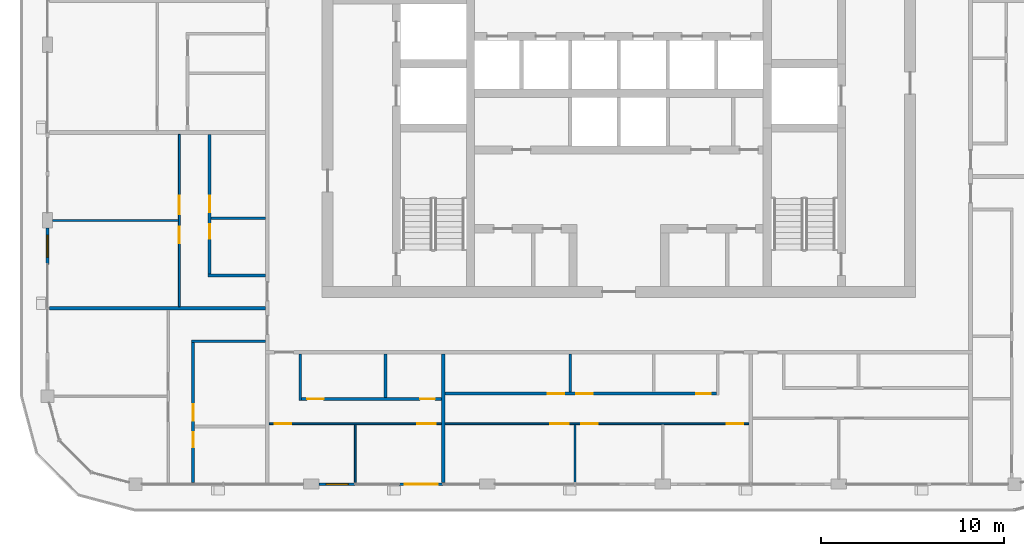
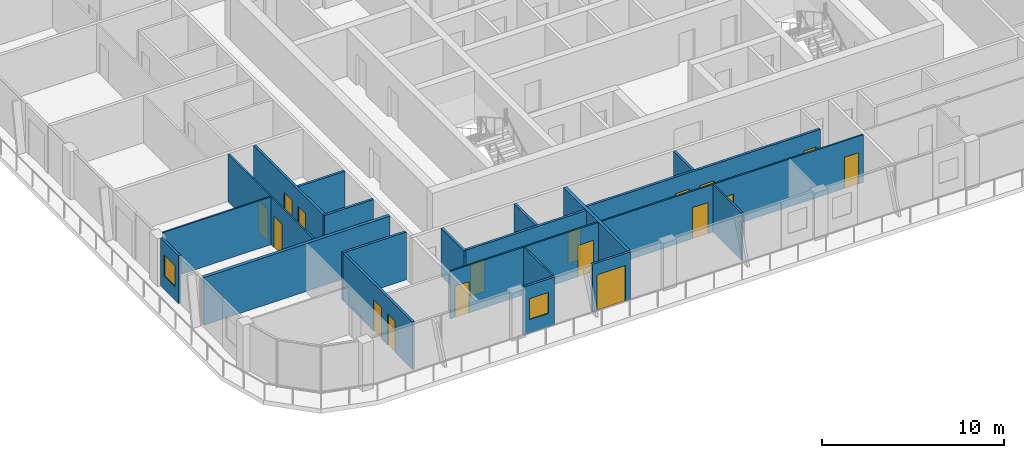
# One storey, part 9 of 22: 21 walls, 17 doors, 2 windows, 19 openings.
"""IFC4 building model written with IfcOpenShell, lengths in metres."""

from ifc_helpers import new_model, si_unit, direction, frame, frame_2d, origin, place, context, subcontext, project, spatial, rectangle, extrude, material, layer, layer_set, type_object, element, fill, save


model = new_model("IFC4")

# Units and contexts
model_context = context("Model", 3, precision=1e-05, world=origin(), true_north=direction((0.0, 1.0)))
body_context = subcontext(model_context, "Body", "Model", "MODEL_VIEW")
ifc_project = project(units=[si_unit("LENGTHUNIT", "METRE"), si_unit("AREAUNIT", "SQUARE_METRE"), si_unit("VOLUMEUNIT", "CUBIC_METRE"), si_unit("PLANEANGLEUNIT", "RADIAN"), si_unit("MASSUNIT", "GRAM", prefix="KILO")], contexts=[model_context])

# Site, building, storey
site_placement = place(None, origin())
site = spatial("IfcSite", under=ifc_project, at=site_placement, CompositionType="ELEMENT")
building_placement = place(site_placement, origin())
building = spatial("IfcBuilding", under=site, at=building_placement, Name="Madar Terraces", CompositionType="ELEMENT")
storey_placement = place(building_placement, frame((0.0, 0.0, 249.199951171875)))
storey = spatial("IfcBuildingStorey", under=building, at=storey_placement, Name="L65", CompositionType="ELEMENT", Elevation=249.199951171875)

# Wall, opening, window
ifc_material_1 = material(Name="Aluminium composite panel, black, over insulated backing", Category="aluminium")
ifc_layer_1 = layer(ifc_material_1, 0.14990234375)
ifc_layer_set_1 = layer_set([ifc_layer_1], Name="Facade bay panel 150")
wall_type_1 = type_object("IfcWallType", Name="Facade bay panel 150", PredefinedType="SOLIDWALL", material=ifc_layer_set_1)
wall_1_placement = place(storey_placement, frame((14.824951171875, 4.800048828125, 0.0), z_axis=(0.0, 0.0, 1.0), x_axis=(1.0, 0.0, 0.0)))
wall_1 = element("IfcWall", 1, at=wall_1_placement, inside=storey, type_object=wall_type_1, Name="Facade bay panel", PredefinedType="SOLIDWALL", context=body_context, shape_type="SweptSolid", body=[
    extrude(rectangle(XDim=1.97509765625, YDim=0.14990234375, at=frame_2d((0.987548828125, 0.0))), origin(), (0.0, 0.0, 1.0), 3.199951171875),
])
opening_1_placement = place(wall_1_placement, frame((0.387451171875, 0.0, 0.89990234375)))
opening_1 = element("IfcOpeningElement", 2, at=opening_1_placement, cuts=wall_1, Name="Opening W1", PredefinedType="OPENING", context=body_context, shape_type="SweptSolid", body=[
    extrude(rectangle(XDim=1.199951171875, YDim=1.39990234375, at=frame_2d((0.60009765625, 0.699951171875))), frame((0.0, 0.0849609375, 0.0), z_axis=(0.0, -1.0, 0.0), x_axis=(1.0, 0.0, 0.0)), (0.0, 0.0, 1.0), 0.169921875),
])
ifc_material_2 = material(Name="Glass, clear, with black aluminium frame", Category="aluminium")
window_type = type_object("IfcWindowType", Name="Vent window 1200 x 1400", PartitioningType="SINGLE_PANEL", PredefinedType="WINDOW", material=ifc_material_2)
window_1_placement = place(opening_1_placement, origin())
window_1 = element("IfcWindow", 3, at=window_1_placement, inside=storey, type_object=window_type, Name="Operable vent window", OverallHeight=1.39990234375, OverallWidth=1.199951171875, PartitioningType="SINGLE_PANEL", PredefinedType="WINDOW", context=body_context, shape_type="SweptSolid", body=[
    extrude(rectangle(XDim=1.199951171875, YDim=1.39990234375, at=frame_2d((0.60009765625, 0.699951171875))), frame((0.0, 0.030029296875, 0.0), z_axis=(0.0, -1.0, 0.0), x_axis=(1.0, 0.0, 0.0)), (0.0, 0.0, 1.0), 0.06005859375),
])
fill(opening_1, window_1)

# Wall, opening, door
wall_2_placement = place(storey_placement, frame((19.199951171875, 4.800048828125, 0.0), z_axis=(0.0, 0.0, 1.0), x_axis=(1.0, 0.0, 0.0)))
wall_2 = element("IfcWall", 4, at=wall_2_placement, inside=storey, type_object=wall_type_1, Name="Facade bay panel", PredefinedType="SOLIDWALL", context=body_context, shape_type="SweptSolid", body=[
    extrude(rectangle(XDim=2.400146484375, YDim=0.14990234375, at=frame_2d((1.2001953125, 0.0))), origin(), (0.0, 0.0, 1.0), 3.199951171875),
])
opening_2_placement = place(wall_2_placement, frame((0.300048828125, 0.0, 0.0)))
opening_2 = element("IfcOpeningElement", 5, at=opening_2_placement, cuts=wall_2, Name="Opening ED1", PredefinedType="OPENING", context=body_context, shape_type="SweptSolid", body=[
    extrude(rectangle(XDim=1.800048828125, YDim=2.39990234375, at=frame_2d((0.89990234375, 1.199951171875))), frame((0.0, 0.0849609375, 0.0), z_axis=(0.0, -1.0, 0.0), x_axis=(1.0, 0.0, 0.0)), (0.0, 0.0, 1.0), 0.169921875),
])
ifc_material_3 = material(Name="Glass, clear, with black aluminium frame", Category="aluminium")
door_type_1 = type_object("IfcDoorType", Name="Balcony and terrace sliding door 1800 x 2400", OperationType="SLIDING_TO_LEFT", PredefinedType="DOOR", material=ifc_material_3)
door_1_placement = place(opening_2_placement, origin())
door_1 = element("IfcDoor", 6, at=door_1_placement, inside=storey, type_object=door_type_1, Name="Balcony door", OperationType="SLIDING_TO_LEFT", OverallHeight=2.39990234375, OverallWidth=1.800048828125, PredefinedType="DOOR", context=body_context, shape_type="SweptSolid", body=[
    extrude(rectangle(XDim=1.800048828125, YDim=2.39990234375, at=frame_2d((0.89990234375, 1.199951171875))), frame((0.0, 0.02490234375, 0.0), z_axis=(0.0, -1.0, 0.0), x_axis=(1.0, 0.0, 0.0)), (0.0, 0.0, 1.0), 0.050048828125),
])
fill(opening_2, door_1)

# Wall, opening, window
wall_3_placement = place(storey_placement, frame((0.0, 18.77490234375, 0.0), z_axis=(0.0, 0.0, 1.0), x_axis=(0.0, -1.0, 0.0)))
wall_3 = element("IfcWall", 7, at=wall_3_placement, inside=storey, type_object=wall_type_1, Name="Facade bay panel", PredefinedType="SOLIDWALL", context=body_context, shape_type="SweptSolid", body=[
    extrude(rectangle(XDim=1.974853515625, YDim=0.14990234375, at=frame_2d((0.9873046875, 0.0))), origin(), (0.0, 0.0, 1.0), 3.199951171875),
])
opening_3_placement = place(wall_3_placement, frame((0.387451171875, 0.0, 0.89990234375)))
opening_3 = element("IfcOpeningElement", 8, at=opening_3_placement, cuts=wall_3, Name="Opening W1", PredefinedType="OPENING", context=body_context, shape_type="SweptSolid", body=[
    extrude(rectangle(XDim=1.199951171875, YDim=1.39990234375, at=frame_2d((0.60009765625, 0.699951171875))), frame((0.0, 0.0849609375, 0.0), z_axis=(0.0, -1.0, 0.0), x_axis=(1.0, 0.0, 0.0)), (0.0, 0.0, 1.0), 0.169921875),
])
window_2_placement = place(opening_3_placement, origin())
window_2 = element("IfcWindow", 9, at=window_2_placement, inside=storey, type_object=window_type, Name="Operable vent window", OverallHeight=1.39990234375, OverallWidth=1.199951171875, PartitioningType="SINGLE_PANEL", PredefinedType="WINDOW", context=body_context, shape_type="SweptSolid", body=[
    extrude(rectangle(XDim=1.199951171875, YDim=1.39990234375, at=frame_2d((0.60009765625, 0.699951171875))), frame((0.0, 0.030029296875, 0.0), z_axis=(0.0, -1.0, 0.0), x_axis=(1.0, 0.0, 0.0)), (0.0, 0.0, 1.0), 0.06005859375),
])
fill(opening_3, window_2)

# Wall
ifc_material_4 = material(Name="Gypsum board on steel studs", Category="steel")
ifc_layer_2 = layer(ifc_material_4, 0.10009765625)
ifc_layer_set_2 = layer_set([ifc_layer_2], Name="Flat partition 100")
wall_type_2 = type_object("IfcWallType", Name="Flat partition 100", PredefinedType="PARTITIONING", material=ifc_layer_set_2)
wall_4_placement = place(storey_placement, frame((16.800048828125, 8.050048828125, 0.0), z_axis=(0.0, 0.0, 1.0), x_axis=(0.0, -1.0, 0.0)))
element("IfcWall", 10, at=wall_4_placement, inside=storey, type_object=wall_type_2, Name="Flat partition 100", PredefinedType="PARTITIONING", context=body_context, shape_type="SweptSolid", body=[
    extrude(rectangle(XDim=3.150146484375, YDim=0.10009765625, at=frame_2d((1.5751953125, 0.0))), origin(), (0.0, 0.0, 1.0), 3.199951171875),
])

# Wall, openings, doors
wall_5_placement = place(storey_placement, frame((21.5, 8.10009765625, 0.0), z_axis=(0.0, 0.0, 1.0), x_axis=(-1.0, 0.0, 0.0)))
wall_5 = element("IfcWall", 11, at=wall_5_placement, inside=storey, type_object=wall_type_2, Name="Flat partition 100", PredefinedType="PARTITIONING", context=body_context, shape_type="SweptSolid", body=[
    extrude(rectangle(XDim=9.39990234375, YDim=0.10009765625, at=frame_2d((4.699951171875, 0.0))), origin(), (0.0, 0.0, 1.0), 3.199951171875),
])
opening_4_placement = place(wall_5_placement, frame((8.199951171875, 0.0, 0.0)))
opening_4 = element("IfcOpeningElement", 12, at=opening_4_placement, cuts=wall_5, Name="Opening D2", PredefinedType="OPENING", context=body_context, shape_type="SweptSolid", body=[
    extrude(rectangle(XDim=0.89990234375, YDim=2.10009765625, at=frame_2d((0.449951171875, 1.050048828125))), frame((0.0, 0.06005859375, 0.0), z_axis=(0.0, -1.0, 0.0), x_axis=(1.0, 0.0, 0.0)), (0.0, 0.0, 1.0), 0.1201171875),
])
opening_5_placement = place(wall_5_placement, frame((0.300048828125, 0.0, 0.0)))
opening_5 = element("IfcOpeningElement", 13, at=opening_5_placement, cuts=wall_5, Name="Opening D3", PredefinedType="OPENING", context=body_context, shape_type="SweptSolid", body=[
    extrude(rectangle(XDim=1.0, YDim=2.10009765625, at=frame_2d((0.5, 1.050048828125))), frame((0.0, 0.06005859375, 0.0), z_axis=(0.0, -1.0, 0.0), x_axis=(1.0, 0.0, 0.0)), (0.0, 0.0, 1.0), 0.1201171875),
])
ifc_material_5 = material(Name="Timber door leaf", Category="wood")
door_type_2 = type_object("IfcDoorType", Name="Flat living room door 1000", OperationType="NOTDEFINED", PredefinedType="DOOR", material=ifc_material_5)
door_2_placement = place(opening_5_placement, origin())
door_2 = element("IfcDoor", 14, at=door_2_placement, inside=storey, type_object=door_type_2, Name="Flat living room door 1000", OperationType="SINGLE_SWING_LEFT", OverallHeight=2.10009765625, OverallWidth=1.0, PredefinedType="DOOR", context=body_context, shape_type="SweptSolid", body=[
    extrude(rectangle(XDim=1.0, YDim=2.10009765625, at=frame_2d((0.5, 1.050048828125))), frame((0.0, 0.02490234375, 0.0), z_axis=(0.0, -1.0, 0.0), x_axis=(1.0, 0.0, 0.0)), (0.0, 0.0, 1.0), 0.050048828125),
])
fill(opening_5, door_2)
ifc_material_6 = material(Name="Timber door leaf", Category="wood")
door_type_3 = type_object("IfcDoorType", Name="Flat room door 900", OperationType="NOTDEFINED", PredefinedType="DOOR", material=ifc_material_6)
door_3_placement = place(opening_4_placement, origin())
door_3 = element("IfcDoor", 15, at=door_3_placement, inside=storey, type_object=door_type_3, Name="Flat room door 900", OperationType="SINGLE_SWING_RIGHT", OverallHeight=2.10009765625, OverallWidth=0.89990234375, PredefinedType="DOOR", context=body_context, shape_type="SweptSolid", body=[
    extrude(rectangle(XDim=0.89990234375, YDim=2.10009765625, at=frame_2d((0.449951171875, 1.050048828125))), frame((0.0, 0.02490234375, 0.0), z_axis=(0.0, -1.0, 0.0), x_axis=(1.0, 0.0, 0.0)), (0.0, 0.0, 1.0), 0.050048828125),
])
fill(opening_4, door_3)

# Wall
wall_6_placement = place(storey_placement, frame((28.800048828125, 8.050048828125, 0.0), z_axis=(0.0, 0.0, 1.0), x_axis=(0.0, -1.0, 0.0)))
element("IfcWall", 16, at=wall_6_placement, inside=storey, type_object=wall_type_2, Name="Flat partition 100", PredefinedType="PARTITIONING", context=body_context, shape_type="SweptSolid", body=[
    extrude(rectangle(XDim=3.150146484375, YDim=0.10009765625, at=frame_2d((1.5751953125, 0.0))), origin(), (0.0, 0.0, 1.0), 3.199951171875),
])

# Wall, openings, doors
wall_7_placement = place(storey_placement, frame((38.300048828125, 8.10009765625, 0.0), z_axis=(0.0, 0.0, 1.0), x_axis=(-1.0, 0.0, 0.0)))
wall_7 = element("IfcWall", 17, at=wall_7_placement, inside=storey, type_object=wall_type_2, Name="Flat partition 100", PredefinedType="PARTITIONING", context=body_context, shape_type="SweptSolid", body=[
    extrude(rectangle(XDim=16.60009765625, YDim=0.10009765625, at=frame_2d((8.300048828125, 0.0))), origin(), (0.0, 0.0, 1.0), 3.199951171875),
])
opening_6_placement = place(wall_7_placement, frame((0.300048828125, 0.0, 0.0)))
opening_6 = element("IfcOpeningElement", 18, at=opening_6_placement, cuts=wall_7, Name="Opening D2", PredefinedType="OPENING", context=body_context, shape_type="SweptSolid", body=[
    extrude(rectangle(XDim=0.89990234375, YDim=2.10009765625, at=frame_2d((0.449951171875, 1.050048828125))), frame((0.0, 0.06005859375, 0.0), z_axis=(0.0, -1.0, 0.0), x_axis=(1.0, 0.0, 0.0)), (0.0, 0.0, 1.0), 0.1201171875),
])
opening_7_placement = place(wall_7_placement, frame((8.25, 0.0, 0.0)))
opening_7 = element("IfcOpeningElement", 19, at=opening_7_placement, cuts=wall_7, Name="Opening D2", PredefinedType="OPENING", context=body_context, shape_type="SweptSolid", body=[
    extrude(rectangle(XDim=0.89990234375, YDim=2.10009765625, at=frame_2d((0.449951171875, 1.050048828125))), frame((0.0, 0.06005859375, 0.0), z_axis=(0.0, -1.0, 0.0), x_axis=(1.0, 0.0, 0.0)), (0.0, 0.0, 1.0), 0.1201171875),
])
opening_8_placement = place(wall_7_placement, frame((9.85009765625, 0.0, 0.0)))
opening_8 = element("IfcOpeningElement", 20, at=opening_8_placement, cuts=wall_7, Name="Opening D3", PredefinedType="OPENING", context=body_context, shape_type="SweptSolid", body=[
    extrude(rectangle(XDim=1.0, YDim=2.10009765625, at=frame_2d((0.5, 1.050048828125))), frame((0.0, 0.06005859375, 0.0), z_axis=(0.0, -1.0, 0.0), x_axis=(1.0, 0.0, 0.0)), (0.0, 0.0, 1.0), 0.1201171875),
])
door_4_placement = place(opening_8_placement, origin())
door_4 = element("IfcDoor", 21, at=door_4_placement, inside=storey, type_object=door_type_2, Name="Flat living room door 1000", OperationType="SINGLE_SWING_LEFT", OverallHeight=2.10009765625, OverallWidth=1.0, PredefinedType="DOOR", context=body_context, shape_type="SweptSolid", body=[
    extrude(rectangle(XDim=1.0, YDim=2.10009765625, at=frame_2d((0.5, 1.050048828125))), frame((0.0, 0.02490234375, 0.0), z_axis=(0.0, -1.0, 0.0), x_axis=(1.0, 0.0, 0.0)), (0.0, 0.0, 1.0), 0.050048828125),
])
fill(opening_8, door_4)
door_5_placement = place(opening_6_placement, origin())
door_5 = element("IfcDoor", 22, at=door_5_placement, inside=storey, type_object=door_type_3, Name="Flat room door 900", OperationType="SINGLE_SWING_LEFT", OverallHeight=2.10009765625, OverallWidth=0.89990234375, PredefinedType="DOOR", context=body_context, shape_type="SweptSolid", body=[
    extrude(rectangle(XDim=0.89990234375, YDim=2.10009765625, at=frame_2d((0.449951171875, 1.050048828125))), frame((0.0, 0.02490234375, 0.0), z_axis=(0.0, -1.0, 0.0), x_axis=(1.0, 0.0, 0.0)), (0.0, 0.0, 1.0), 0.050048828125),
])
fill(opening_6, door_5)
door_6_placement = place(opening_7_placement, origin())
door_6 = element("IfcDoor", 23, at=door_6_placement, inside=storey, type_object=door_type_3, Name="Flat room door 900", OperationType="SINGLE_SWING_RIGHT", OverallHeight=2.10009765625, OverallWidth=0.89990234375, PredefinedType="DOOR", context=body_context, shape_type="SweptSolid", body=[
    extrude(rectangle(XDim=0.89990234375, YDim=2.10009765625, at=frame_2d((0.449951171875, 1.050048828125))), frame((0.0, 0.02490234375, 0.0), z_axis=(0.0, -1.0, 0.0), x_axis=(1.0, 0.0, 0.0)), (0.0, 0.0, 1.0), 0.050048828125),
])
fill(opening_7, door_6)

# Wall
wall_8_placement = place(storey_placement, frame((7.14990234375, 19.199951171875, 0.0), z_axis=(0.0, 0.0, 1.0), x_axis=(-1.0, 0.0, 0.0)))
element("IfcWall", 24, at=wall_8_placement, inside=storey, type_object=wall_type_2, Name="Flat partition 100", PredefinedType="PARTITIONING", context=body_context, shape_type="SweptSolid", body=[
    extrude(rectangle(XDim=6.875, YDim=0.10009765625, at=frame_2d((3.4375, 0.0))), origin(), (0.0, 0.0, 1.0), 3.199951171875),
])

# Wall, openings, doors
wall_9_placement = place(storey_placement, frame((7.199951171875, 14.5, 0.0), z_axis=(0.0, 0.0, 1.0), x_axis=(0.0, 1.0, 0.0)))
wall_9 = element("IfcWall", 25, at=wall_9_placement, inside=storey, type_object=wall_type_2, Name="Flat partition 100", PredefinedType="PARTITIONING", context=body_context, shape_type="SweptSolid", body=[
    extrude(rectangle(XDim=9.39990234375, YDim=0.10009765625, at=frame_2d((4.699951171875, 0.0))), origin(), (0.0, 0.0, 1.0), 3.199951171875),
])
opening_9_placement = place(wall_9_placement, frame((3.449951171875, 0.0, 0.0)))
opening_9 = element("IfcOpeningElement", 26, at=opening_9_placement, cuts=wall_9, Name="Opening D2", PredefinedType="OPENING", context=body_context, shape_type="SweptSolid", body=[
    extrude(rectangle(XDim=0.89990234375, YDim=2.10009765625, at=frame_2d((0.449951171875, 1.050048828125))), frame((0.0, 0.06005859375, 0.0), z_axis=(0.0, -1.0, 0.0), x_axis=(1.0, 0.0, 0.0)), (0.0, 0.0, 1.0), 0.1201171875),
])
opening_10_placement = place(wall_9_placement, frame((5.050048828125, 0.0, 0.0)))
opening_10 = element("IfcOpeningElement", 27, at=opening_10_placement, cuts=wall_9, Name="Opening D3", PredefinedType="OPENING", context=body_context, shape_type="SweptSolid", body=[
    extrude(rectangle(XDim=1.0, YDim=2.10009765625, at=frame_2d((0.5, 1.050048828125))), frame((0.0, 0.06005859375, 0.0), z_axis=(0.0, -1.0, 0.0), x_axis=(1.0, 0.0, 0.0)), (0.0, 0.0, 1.0), 0.1201171875),
])
door_7_placement = place(opening_10_placement, origin())
door_7 = element("IfcDoor", 28, at=door_7_placement, inside=storey, type_object=door_type_2, Name="Flat living room door 1000", OperationType="SINGLE_SWING_LEFT", OverallHeight=2.10009765625, OverallWidth=1.0, PredefinedType="DOOR", context=body_context, shape_type="SweptSolid", body=[
    extrude(rectangle(XDim=1.0, YDim=2.10009765625, at=frame_2d((0.5, 1.050048828125))), frame((0.0, 0.02490234375, 0.0), z_axis=(0.0, -1.0, 0.0), x_axis=(1.0, 0.0, 0.0)), (0.0, 0.0, 1.0), 0.050048828125),
])
fill(opening_10, door_7)
door_8_placement = place(opening_9_placement, origin())
door_8 = element("IfcDoor", 29, at=door_8_placement, inside=storey, type_object=door_type_3, Name="Flat room door 900", OperationType="SINGLE_SWING_RIGHT", OverallHeight=2.10009765625, OverallWidth=0.89990234375, PredefinedType="DOOR", context=body_context, shape_type="SweptSolid", body=[
    extrude(rectangle(XDim=0.89990234375, YDim=2.10009765625, at=frame_2d((0.449951171875, 1.050048828125))), frame((0.0, 0.02490234375, 0.0), z_axis=(0.0, -1.0, 0.0), x_axis=(1.0, 0.0, 0.0)), (0.0, 0.0, 1.0), 0.050048828125),
])
fill(opening_9, door_8)

# Walls
ifc_material_7 = material(Name="Lightweight blockwork", Category="masonry")
ifc_layer_3 = layer(ifc_material_7, 0.199951171875)
ifc_layer_set_3 = layer_set([ifc_layer_3], Name="Flat party and entrance wall 200")
wall_type_3 = type_object("IfcWallType", Name="Flat party and entrance wall 200", PredefinedType="PARTITIONING", material=ifc_layer_set_3)
wall_10_placement = place(storey_placement, frame((21.60009765625, 11.89990234375, 0.0), z_axis=(0.0, 0.0, 1.0), x_axis=(0.0, -1.0, 0.0)))
element("IfcWall", 30, at=wall_10_placement, inside=storey, type_object=wall_type_3, Name="Flat party and entrance wall 200", PredefinedType="PARTITIONING", context=body_context, shape_type="SweptSolid", body=[
    extrude(rectangle(XDim=7.0, YDim=0.199951171875, at=frame_2d((3.5, 0.0))), origin(), (0.0, 0.0, 1.0), 3.199951171875),
])
wall_11_placement = place(storey_placement, frame((0.10009765625, 14.39990234375, 0.0), z_axis=(0.0, 0.0, 1.0), x_axis=(1.0, 0.0, 0.0)))
element("IfcWall", 31, at=wall_11_placement, inside=storey, type_object=wall_type_3, Name="Flat party and entrance wall 200", PredefinedType="PARTITIONING", context=body_context, shape_type="SweptSolid", body=[
    extrude(rectangle(XDim=11.7998046875, YDim=0.199951171875, at=frame_2d((5.89990234375, 0.0))), origin(), (0.0, 0.0, 1.0), 3.199951171875),
])
ifc_material_8 = material(Name="Lightweight blockwork", Category="masonry")
ifc_layer_4 = layer(ifc_material_8, 0.14990234375)
ifc_layer_set_4 = layer_set([ifc_layer_4], Name="Flat wet-room partition 150")
wall_type_4 = type_object("IfcWallType", Name="Flat wet-room partition 150", PredefinedType="PARTITIONING", material=ifc_layer_set_4)
wall_12_placement = place(storey_placement, frame((18.449951171875, 11.89990234375, 0.0), z_axis=(0.0, 0.0, 1.0), x_axis=(0.0, -1.0, 0.0)))
element("IfcWall", 32, at=wall_12_placement, inside=storey, type_object=wall_type_4, Name="Flat wet-room partition 150", PredefinedType="PARTITIONING", context=body_context, shape_type="SweptSolid", body=[
    extrude(rectangle(XDim=2.375, YDim=0.14990234375, at=frame_2d((1.1875, 0.0))), origin(), (0.0, 0.0, 1.0), 3.199951171875),
])
wall_13_placement = place(storey_placement, frame((13.800048828125, 11.89990234375, 0.0), z_axis=(0.0, 0.0, 1.0), x_axis=(0.0, -1.0, 0.0)))
element("IfcWall", 33, at=wall_13_placement, inside=storey, type_object=wall_type_4, Name="Flat wet-room partition 150", PredefinedType="PARTITIONING", context=body_context, shape_type="SweptSolid", body=[
    extrude(rectangle(XDim=2.52490234375, YDim=0.14990234375, at=frame_2d((1.262451171875, 0.0))), origin(), (0.0, 0.0, 1.0), 3.199951171875),
])

# Wall, openings, doors
wall_14_placement = place(storey_placement, frame((13.875, 9.449951171875, 0.0), z_axis=(0.0, 0.0, 1.0), x_axis=(1.0, 0.0, 0.0)))
wall_14 = element("IfcWall", 34, at=wall_14_placement, inside=storey, type_object=wall_type_4, Name="Flat wet-room partition 150", PredefinedType="PARTITIONING", context=body_context, shape_type="SweptSolid", body=[
    extrude(rectangle(XDim=7.625, YDim=0.14990234375, at=frame_2d((3.8125, 0.0))), origin(), (0.0, 0.0, 1.0), 3.199951171875),
])
opening_11_placement = place(wall_14_placement, frame((0.300048828125, 0.0, 0.0)))
opening_11 = element("IfcOpeningElement", 35, at=opening_11_placement, cuts=wall_14, Name="Opening D2", PredefinedType="OPENING", context=body_context, shape_type="SweptSolid", body=[
    extrude(rectangle(XDim=0.89990234375, YDim=2.10009765625, at=frame_2d((0.449951171875, 1.050048828125))), frame((0.0, 0.0849609375, 0.0), z_axis=(0.0, -1.0, 0.0), x_axis=(1.0, 0.0, 0.0)), (0.0, 0.0, 1.0), 0.169921875),
])
opening_12_placement = place(wall_14_placement, frame((6.47509765625, 0.0, 0.0)))
opening_12 = element("IfcOpeningElement", 36, at=opening_12_placement, cuts=wall_14, Name="Opening D4", PredefinedType="OPENING", context=body_context, shape_type="SweptSolid", body=[
    extrude(rectangle(XDim=0.800048828125, YDim=2.10009765625, at=frame_2d((0.39990234375, 1.050048828125))), frame((0.0, 0.0849609375, 0.0), z_axis=(0.0, -1.0, 0.0), x_axis=(1.0, 0.0, 0.0)), (0.0, 0.0, 1.0), 0.169921875),
])
ifc_material_9 = material(Name="Timber door leaf", Category="wood")
door_type_4 = type_object("IfcDoorType", Name="Flat bathroom door 800", OperationType="NOTDEFINED", PredefinedType="DOOR", material=ifc_material_9)
door_9_placement = place(opening_12_placement, origin())
door_9 = element("IfcDoor", 37, at=door_9_placement, inside=storey, type_object=door_type_4, Name="Flat bathroom door 800", OperationType="SINGLE_SWING_RIGHT", OverallHeight=2.10009765625, OverallWidth=0.800048828125, PredefinedType="DOOR", context=body_context, shape_type="SweptSolid", body=[
    extrude(rectangle(XDim=0.800048828125, YDim=2.10009765625, at=frame_2d((0.39990234375, 1.050048828125))), frame((0.0, 0.02490234375, 0.0), z_axis=(0.0, -1.0, 0.0), x_axis=(1.0, 0.0, 0.0)), (0.0, 0.0, 1.0), 0.050048828125),
])
fill(opening_12, door_9)
door_10_placement = place(opening_11_placement, origin())
door_10 = element("IfcDoor", 38, at=door_10_placement, inside=storey, type_object=door_type_3, Name="Flat room door 900", OperationType="SINGLE_SWING_LEFT", OverallHeight=2.10009765625, OverallWidth=0.89990234375, PredefinedType="DOOR", context=body_context, shape_type="SweptSolid", body=[
    extrude(rectangle(XDim=0.89990234375, YDim=2.10009765625, at=frame_2d((0.449951171875, 1.050048828125))), frame((0.0, 0.02490234375, 0.0), z_axis=(0.0, -1.0, 0.0), x_axis=(1.0, 0.0, 0.0)), (0.0, 0.0, 1.0), 0.050048828125),
])
fill(opening_11, door_10)

# Wall
wall_15_placement = place(storey_placement, frame((28.542236328125, 11.89990234375, 0.0), z_axis=(0.0, 0.0, 1.0), x_axis=(0.0, -1.0, 0.0)))
element("IfcWall", 39, at=wall_15_placement, inside=storey, type_object=wall_type_4, Name="Flat wet-room partition 150", PredefinedType="PARTITIONING", context=body_context, shape_type="SweptSolid", body=[
    extrude(rectangle(XDim=2.074951171875, YDim=0.14990234375, at=frame_2d((1.03759765625, 0.0))), origin(), (0.0, 0.0, 1.0), 3.199951171875),
])

# Wall, openings, doors
wall_16_placement = place(storey_placement, frame((21.699951171875, 9.75, 0.0), z_axis=(0.0, 0.0, 1.0), x_axis=(1.0, 0.0, 0.0)))
wall_16 = element("IfcWall", 40, at=wall_16_placement, inside=storey, type_object=wall_type_4, Name="Flat wet-room partition 150", PredefinedType="PARTITIONING", context=body_context, shape_type="SweptSolid", body=[
    extrude(rectangle(XDim=14.824951171875, YDim=0.14990234375, at=frame_2d((7.41259765625, 0.0))), origin(), (0.0, 0.0, 1.0), 3.199951171875),
])
opening_13_placement = place(wall_16_placement, frame((13.72509765625, 0.0, 0.0)))
opening_13 = element("IfcOpeningElement", 41, at=opening_13_placement, cuts=wall_16, Name="Opening D4", PredefinedType="OPENING", context=body_context, shape_type="SweptSolid", body=[
    extrude(rectangle(XDim=0.800048828125, YDim=2.10009765625, at=frame_2d((0.39990234375, 1.050048828125))), frame((0.0, 0.0849609375, 0.0), z_axis=(0.0, -1.0, 0.0), x_axis=(1.0, 0.0, 0.0)), (0.0, 0.0, 1.0), 0.169921875),
])
opening_14_placement = place(wall_16_placement, frame((7.167236328125, 0.0, 0.0)))
opening_14 = element("IfcOpeningElement", 42, at=opening_14_placement, cuts=wall_16, Name="Opening D5", PredefinedType="OPENING", context=body_context, shape_type="SweptSolid", body=[
    extrude(rectangle(XDim=0.89990234375, YDim=2.10009765625, at=frame_2d((0.449951171875, 1.050048828125))), frame((0.0, 0.0849609375, 0.0), z_axis=(0.0, -1.0, 0.0), x_axis=(1.0, 0.0, 0.0)), (0.0, 0.0, 1.0), 0.169921875),
])
opening_15_placement = place(wall_16_placement, frame((5.6171875, 0.0, 0.0)))
opening_15 = element("IfcOpeningElement", 43, at=opening_15_placement, cuts=wall_16, Name="Opening D2", PredefinedType="OPENING", context=body_context, shape_type="SweptSolid", body=[
    extrude(rectangle(XDim=0.89990234375, YDim=2.10009765625, at=frame_2d((0.449951171875, 1.050048828125))), frame((0.0, 0.0849609375, 0.0), z_axis=(0.0, -1.0, 0.0), x_axis=(1.0, 0.0, 0.0)), (0.0, 0.0, 1.0), 0.169921875),
])
ifc_material_10 = material(Name="Timber door leaf", Category="wood")
door_type_5 = type_object("IfcDoorType", Name="Flat accessible bathroom door 900", OperationType="NOTDEFINED", PredefinedType="DOOR", material=ifc_material_10)
door_11_placement = place(opening_14_placement, origin())
door_11 = element("IfcDoor", 44, at=door_11_placement, inside=storey, type_object=door_type_5, Name="Flat accessible bathroom door 900", OperationType="SINGLE_SWING_LEFT", OverallHeight=2.10009765625, OverallWidth=0.89990234375, PredefinedType="DOOR", context=body_context, shape_type="SweptSolid", body=[
    extrude(rectangle(XDim=0.89990234375, YDim=2.10009765625, at=frame_2d((0.449951171875, 1.050048828125))), frame((0.0, 0.02490234375, 0.0), z_axis=(0.0, -1.0, 0.0), x_axis=(1.0, 0.0, 0.0)), (0.0, 0.0, 1.0), 0.050048828125),
])
fill(opening_14, door_11)
door_12_placement = place(opening_13_placement, origin())
door_12 = element("IfcDoor", 45, at=door_12_placement, inside=storey, type_object=door_type_4, Name="Flat bathroom door 800", OperationType="SINGLE_SWING_RIGHT", OverallHeight=2.10009765625, OverallWidth=0.800048828125, PredefinedType="DOOR", context=body_context, shape_type="SweptSolid", body=[
    extrude(rectangle(XDim=0.800048828125, YDim=2.10009765625, at=frame_2d((0.39990234375, 1.050048828125))), frame((0.0, 0.02490234375, 0.0), z_axis=(0.0, -1.0, 0.0), x_axis=(1.0, 0.0, 0.0)), (0.0, 0.0, 1.0), 0.050048828125),
])
fill(opening_13, door_12)
door_13_placement = place(opening_15_placement, origin())
door_13 = element("IfcDoor", 46, at=door_13_placement, inside=storey, type_object=door_type_3, Name="Flat room door 900", OperationType="SINGLE_SWING_RIGHT", OverallHeight=2.10009765625, OverallWidth=0.89990234375, PredefinedType="DOOR", context=body_context, shape_type="SweptSolid", body=[
    extrude(rectangle(XDim=0.89990234375, YDim=2.10009765625, at=frame_2d((0.449951171875, 1.050048828125))), frame((0.0, 0.02490234375, 0.0), z_axis=(0.0, -1.0, 0.0), x_axis=(1.0, 0.0, 0.0)), (0.0, 0.0, 1.0), 0.050048828125),
])
fill(opening_15, door_13)

# Walls
wall_17_placement = place(storey_placement, frame((11.89990234375, 19.324951171875, 0.0), z_axis=(0.0, 0.0, 1.0), x_axis=(-1.0, 0.0, 0.0)))
element("IfcWall", 47, at=wall_17_placement, inside=storey, type_object=wall_type_4, Name="Flat wet-room partition 150", PredefinedType="PARTITIONING", context=body_context, shape_type="SweptSolid", body=[
    extrude(rectangle(XDim=2.974853515625, YDim=0.14990234375, at=frame_2d((1.4873046875, 0.0))), origin(), (0.0, 0.0, 1.0), 3.199951171875),
])
wall_18_placement = place(storey_placement, frame((11.89990234375, 16.199951171875, 0.0), z_axis=(0.0, 0.0, 1.0), x_axis=(-1.0, 0.0, 0.0)))
element("IfcWall", 48, at=wall_18_placement, inside=storey, type_object=wall_type_4, Name="Flat wet-room partition 150", PredefinedType="PARTITIONING", context=body_context, shape_type="SweptSolid", body=[
    extrude(rectangle(XDim=3.125, YDim=0.14990234375, at=frame_2d((1.5625, 0.0))), origin(), (0.0, 0.0, 1.0), 3.199951171875),
])

# Wall, openings, doors
wall_19_placement = place(storey_placement, frame((8.85009765625, 23.89990234375, 0.0), z_axis=(0.0, 0.0, 1.0), x_axis=(0.0, -1.0, 0.0)))
wall_19 = element("IfcWall", 49, at=wall_19_placement, inside=storey, type_object=wall_type_4, Name="Flat wet-room partition 150", PredefinedType="PARTITIONING", context=body_context, shape_type="SweptSolid", body=[
    extrude(rectangle(XDim=7.625, YDim=0.14990234375, at=frame_2d((3.8125, 0.0))), origin(), (0.0, 0.0, 1.0), 3.199951171875),
])
opening_16_placement = place(wall_19_placement, frame((4.89990234375, 0.0, 0.0)))
opening_16 = element("IfcOpeningElement", 50, at=opening_16_placement, cuts=wall_19, Name="Opening D4", PredefinedType="OPENING", context=body_context, shape_type="SweptSolid", body=[
    extrude(rectangle(XDim=0.800048828125, YDim=2.10009765625, at=frame_2d((0.39990234375, 1.050048828125))), frame((0.0, 0.0849609375, 0.0), z_axis=(0.0, -1.0, 0.0), x_axis=(1.0, 0.0, 0.0)), (0.0, 0.0, 1.0), 0.169921875),
])
opening_17_placement = place(wall_19_placement, frame((3.35009765625, 0.0, 0.0)))
opening_17 = element("IfcOpeningElement", 51, at=opening_17_placement, cuts=wall_19, Name="Opening D2", PredefinedType="OPENING", context=body_context, shape_type="SweptSolid", body=[
    extrude(rectangle(XDim=0.89990234375, YDim=2.10009765625, at=frame_2d((0.449951171875, 1.050048828125))), frame((0.0, 0.0849609375, 0.0), z_axis=(0.0, -1.0, 0.0), x_axis=(1.0, 0.0, 0.0)), (0.0, 0.0, 1.0), 0.169921875),
])
door_14_placement = place(opening_16_placement, origin())
door_14 = element("IfcDoor", 52, at=door_14_placement, inside=storey, type_object=door_type_4, Name="Flat bathroom door 800", OperationType="SINGLE_SWING_LEFT", OverallHeight=2.10009765625, OverallWidth=0.800048828125, PredefinedType="DOOR", context=body_context, shape_type="SweptSolid", body=[
    extrude(rectangle(XDim=0.800048828125, YDim=2.10009765625, at=frame_2d((0.39990234375, 1.050048828125))), frame((0.0, 0.02490234375, 0.0), z_axis=(0.0, -1.0, 0.0), x_axis=(1.0, 0.0, 0.0)), (0.0, 0.0, 1.0), 0.050048828125),
])
fill(opening_16, door_14)
door_15_placement = place(opening_17_placement, origin())
door_15 = element("IfcDoor", 53, at=door_15_placement, inside=storey, type_object=door_type_3, Name="Flat room door 900", OperationType="SINGLE_SWING_RIGHT", OverallHeight=2.10009765625, OverallWidth=0.89990234375, PredefinedType="DOOR", context=body_context, shape_type="SweptSolid", body=[
    extrude(rectangle(XDim=0.89990234375, YDim=2.10009765625, at=frame_2d((0.449951171875, 1.050048828125))), frame((0.0, 0.02490234375, 0.0), z_axis=(0.0, -1.0, 0.0), x_axis=(1.0, 0.0, 0.0)), (0.0, 0.0, 1.0), 0.050048828125),
])
fill(opening_17, door_15)

# Wall
wall_20_placement = place(storey_placement, frame((11.89990234375, 12.60009765625, 0.0), z_axis=(0.0, 0.0, 1.0), x_axis=(-1.0, 0.0, 0.0)))
element("IfcWall", 54, at=wall_20_placement, inside=storey, type_object=wall_type_4, Name="Flat wet-room partition 150", PredefinedType="PARTITIONING", context=body_context, shape_type="SweptSolid", body=[
    extrude(rectangle(XDim=4.02490234375, YDim=0.14990234375, at=frame_2d((2.012451171875, 0.0))), origin(), (0.0, 0.0, 1.0), 3.199951171875),
])

# Wall, openings, doors
wall_21_placement = place(storey_placement, frame((7.949951171875, 12.52490234375, 0.0), z_axis=(0.0, 0.0, 1.0), x_axis=(0.0, -1.0, 0.0)))
wall_21 = element("IfcWall", 55, at=wall_21_placement, inside=storey, type_object=wall_type_4, Name="Flat wet-room partition 150", PredefinedType="PARTITIONING", context=body_context, shape_type="SweptSolid", body=[
    extrude(rectangle(XDim=7.625, YDim=0.14990234375, at=frame_2d((3.8125, 0.0))), origin(), (0.0, 0.0, 1.0), 3.199951171875),
])
opening_18_placement = place(wall_21_placement, frame((3.35009765625, 0.0, 0.0)))
opening_18 = element("IfcOpeningElement", 56, at=opening_18_placement, cuts=wall_21, Name="Opening D2", PredefinedType="OPENING", context=body_context, shape_type="SweptSolid", body=[
    extrude(rectangle(XDim=0.89990234375, YDim=2.10009765625, at=frame_2d((0.449951171875, 1.050048828125))), frame((0.0, 0.0849609375, 0.0), z_axis=(0.0, -1.0, 0.0), x_axis=(1.0, 0.0, 0.0)), (0.0, 0.0, 1.0), 0.169921875),
])
opening_19_placement = place(wall_21_placement, frame((4.89990234375, 0.0, 0.0)))
opening_19 = element("IfcOpeningElement", 57, at=opening_19_placement, cuts=wall_21, Name="Opening D4", PredefinedType="OPENING", context=body_context, shape_type="SweptSolid", body=[
    extrude(rectangle(XDim=0.800048828125, YDim=2.10009765625, at=frame_2d((0.39990234375, 1.050048828125))), frame((0.0, 0.0849609375, 0.0), z_axis=(0.0, -1.0, 0.0), x_axis=(1.0, 0.0, 0.0)), (0.0, 0.0, 1.0), 0.169921875),
])
door_16_placement = place(opening_19_placement, origin())
door_16 = element("IfcDoor", 58, at=door_16_placement, inside=storey, type_object=door_type_4, Name="Flat bathroom door 800", OperationType="SINGLE_SWING_LEFT", OverallHeight=2.10009765625, OverallWidth=0.800048828125, PredefinedType="DOOR", context=body_context, shape_type="SweptSolid", body=[
    extrude(rectangle(XDim=0.800048828125, YDim=2.10009765625, at=frame_2d((0.39990234375, 1.050048828125))), frame((0.0, 0.02490234375, 0.0), z_axis=(0.0, -1.0, 0.0), x_axis=(1.0, 0.0, 0.0)), (0.0, 0.0, 1.0), 0.050048828125),
])
fill(opening_19, door_16)
door_17_placement = place(opening_18_placement, origin())
door_17 = element("IfcDoor", 59, at=door_17_placement, inside=storey, type_object=door_type_3, Name="Flat room door 900", OperationType="SINGLE_SWING_RIGHT", OverallHeight=2.10009765625, OverallWidth=0.89990234375, PredefinedType="DOOR", context=body_context, shape_type="SweptSolid", body=[
    extrude(rectangle(XDim=0.89990234375, YDim=2.10009765625, at=frame_2d((0.449951171875, 1.050048828125))), frame((0.0, 0.02490234375, 0.0), z_axis=(0.0, -1.0, 0.0), x_axis=(1.0, 0.0, 0.0)), (0.0, 0.0, 1.0), 0.050048828125),
])
fill(opening_18, door_17)

save(model, "model.ifc")
